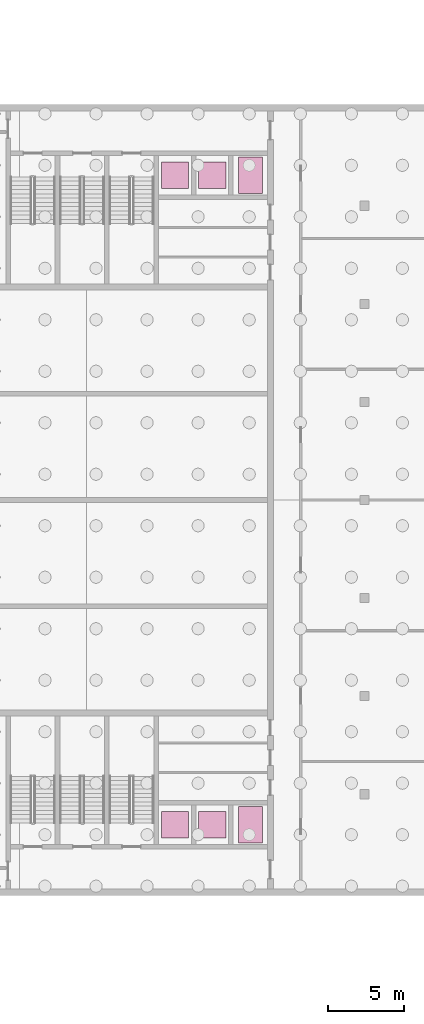
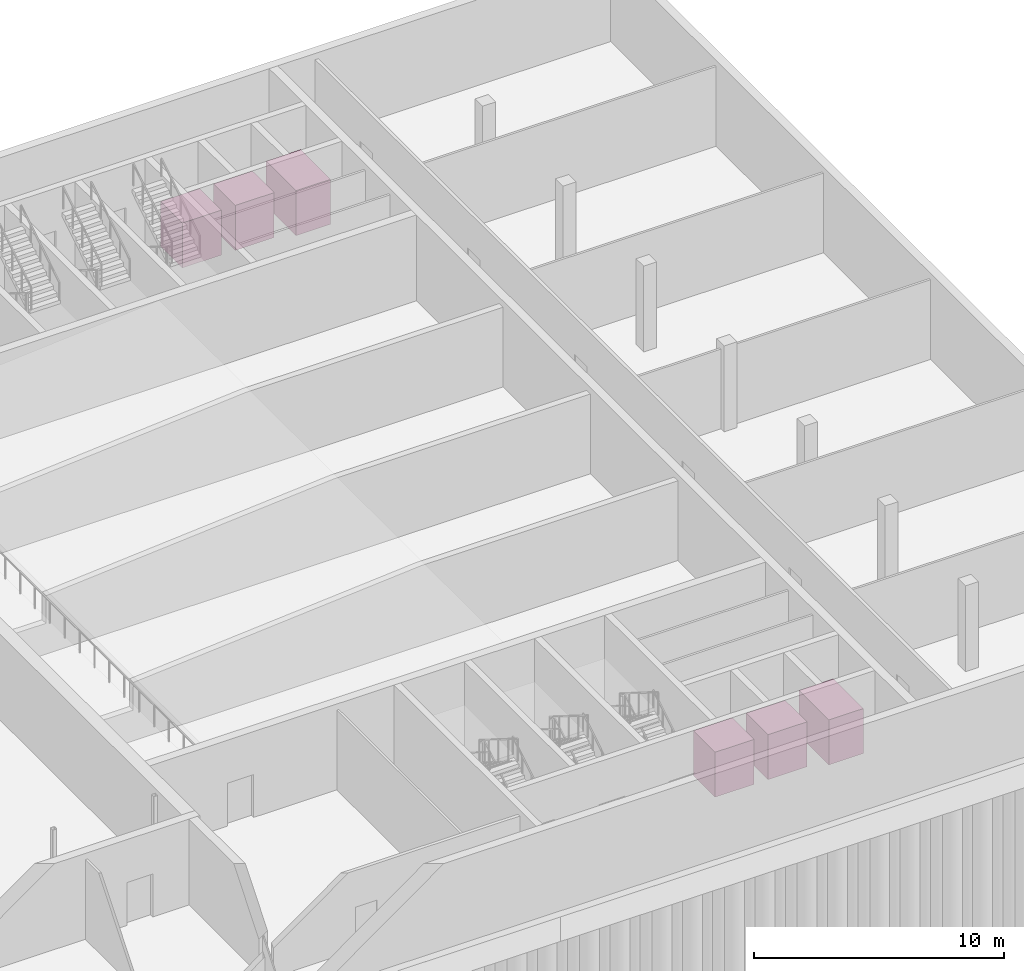
# One storey, part 32 of 32: 6 transport elements.
"""IFC4 building model written with IfcOpenShell, lengths in metres."""

from ifc_helpers import new_model, si_unit, direction, frame, origin, origin_2d, place, context, subcontext, project, spatial, rectangle, extrude, material, type_object, element, save


model = new_model("IFC4")

# Units and contexts
model_context = context("Model", 3, precision=1e-05, world=origin(), true_north=direction((0.0, 1.0)))
body_context = subcontext(model_context, "Body", "Model", "MODEL_VIEW")
ifc_project = project(units=[si_unit("LENGTHUNIT", "METRE"), si_unit("AREAUNIT", "SQUARE_METRE"), si_unit("VOLUMEUNIT", "CUBIC_METRE"), si_unit("PLANEANGLEUNIT", "RADIAN"), si_unit("MASSUNIT", "GRAM", prefix="KILO")], contexts=[model_context])

# Site, building, storey
site_placement = place(None, origin())
site = spatial("IfcSite", under=ifc_project, at=site_placement, CompositionType="ELEMENT")
building_placement = place(site_placement, origin())
building = spatial("IfcBuilding", under=site, at=building_placement, Name="Noorbagh Ring Tower", CompositionType="ELEMENT")
storey_placement = place(building_placement, frame((0.0, 0.0, -4.199951171875)))
storey = spatial("IfcBuildingStorey", under=building, at=storey_placement, Name="B1", CompositionType="ELEMENT", Elevation=-4.199951171875)

# Transport elements
ifc_material_1 = material(Name="Brushed stainless steel", Category="steel")
transport_element_type_1 = type_object("IfcTransportElementType", Name="TH-LIFT-1", PredefinedType="ELEVATOR", material=ifc_material_1)
for number, where, z_axis, x_axis, name in (
    (1, (-117.27490234375, -16.35009765625, 0.0), (0.0, 0.0, 1.0), (1.0, 0.0, 0.0), "Lift TLS1"),
    (2, (-117.27490234375, 26.35009765625, 0.0), (0.0, 0.0, 1.0), (1.0, 0.0, 0.0), "Lift TLN1"),
):
    element("IfcTransportElement", number, at=place(storey_placement, frame(where, z_axis=z_axis, x_axis=x_axis)), inside=storey, type_object=transport_element_type_1, Name=name, PredefinedType="ELEVATOR", context=body_context, shape_type="SweptSolid", body=[
        extrude(rectangle(XDim=1.800048828125, YDim=1.75, at=origin_2d()), origin(), (0.0, 0.0, 1.0), 2.199951171875),
    ])
ifc_material_2 = material(Name="Brushed stainless steel", Category="steel")
transport_element_type_2 = type_object("IfcTransportElementType", Name="TH-LIFT-2", PredefinedType="ELEVATOR", material=ifc_material_2)
for number, where, z_axis, x_axis, name in (
    (3, (-114.824951171875, -16.35009765625, 0.0), (0.0, 0.0, 1.0), (1.0, 0.0, 0.0), "Lift TLS2"),
    (4, (-114.824951171875, 26.35009765625, 0.0), (0.0, 0.0, 1.0), (1.0, 0.0, 0.0), "Lift TLN2"),
):
    element("IfcTransportElement", number, at=place(storey_placement, frame(where, z_axis=z_axis, x_axis=x_axis)), inside=storey, type_object=transport_element_type_2, Name=name, PredefinedType="ELEVATOR", context=body_context, shape_type="SweptSolid", body=[
        extrude(rectangle(XDim=1.800048828125, YDim=1.75, at=origin_2d()), origin(), (0.0, 0.0, 1.0), 2.199951171875),
    ])
ifc_material_3 = material(Name="Brushed stainless steel", Category="steel")
transport_element_type_3 = type_object("IfcTransportElementType", Name="TH-LIFT-3", PredefinedType="ELEVATOR", material=ifc_material_3)
for number, where, z_axis, x_axis, name in (
    (5, (-112.300048828125, -16.35009765625, 0.0), (0.0, 0.0, 1.0), (1.0, 0.0, 0.0), "Lift TLS3"),
    (6, (-112.300048828125, 26.35009765625, 0.0), (0.0, 0.0, 1.0), (1.0, 0.0, 0.0), "Lift TLN3"),
):
    element("IfcTransportElement", number, at=place(storey_placement, frame(where, z_axis=z_axis, x_axis=x_axis)), inside=storey, type_object=transport_element_type_3, Name=name, PredefinedType="ELEVATOR", context=body_context, shape_type="SweptSolid", body=[
        extrude(rectangle(XDim=1.60009765625, YDim=2.39990234375, at=origin_2d()), origin(), (0.0, 0.0, 1.0), 2.199951171875),
    ])

save(model, "model.ifc")
